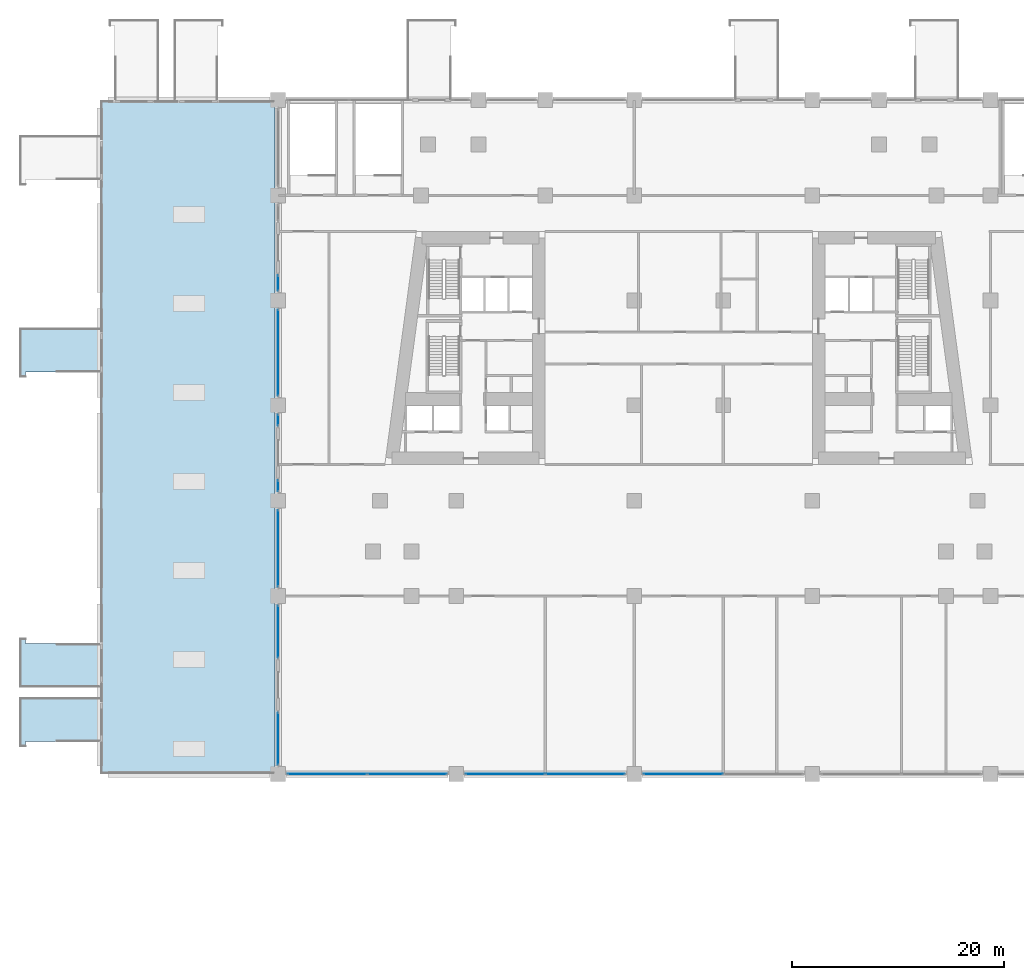
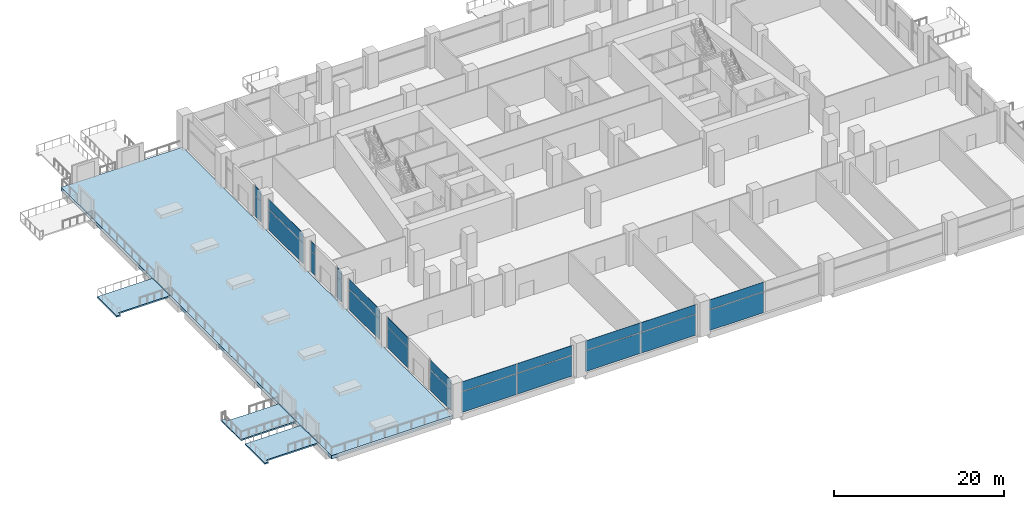
# One storey, part 11 of 33: 24 plates, 4 slabs, 10 elements without a shape of their own.
"""IFC4 building model written with IfcOpenShell, lengths in metres."""

import ifcopenshell
import ifcopenshell.guid

model = None  # the IFC model being written
_history = None  # IfcOwnerHistory: only IFC2X3 demands one
_inside = {}  # id of a spatial element -> (the spatial element, [elements in it])
_under = {}  # id of a project, library or spatial element -> (it, [spatial elements below it])
_declared = {}  # id of a project -> (the project, [libraries it declares])
_typed = {}  # id of a type object -> (the type object, [elements of that type])
_made_of = {}  # id of a material, layer set ... -> (it, [elements and type objects made of it])


def new_model(schema):
    """Start an empty IFC model of exactly this schema.

    Asked for "IFC4X3", IfcOpenShell would pick the latest addendum, in which some entities
    have other attributes; the version numbers below select the first issue.
    IFC2X3 requires an IfcOwnerHistory on every rooted entity: one is made here for all.
    """
    global model, _history
    if schema == "IFC4X3":
        model = ifcopenshell.file(schema_version=(4, 3, 0, 0))
    else:
        model = ifcopenshell.file(schema=schema)
    _inside.clear()
    _under.clear()
    _declared.clear()
    _typed.clear()
    _made_of.clear()
    _history = None
    if model.schema == "IFC2X3":
        org = make("IfcOrganization", Name="unknown")
        user = make(
            "IfcPersonAndOrganization",
            ThePerson=make("IfcPerson", FamilyName="unknown"),
            TheOrganization=org,
        )
        app = make(
            "IfcApplication",
            ApplicationDeveloper=org,
            Version="unknown",
            ApplicationFullName="unknown",
            ApplicationIdentifier="unknown",
        )
        _history = make(
            "IfcOwnerHistory",
            OwningUser=user,
            OwningApplication=app,
            ChangeAction="ADDED",
            CreationDate=0,
        )
    return model


def make(cls, **values):
    """One entity of the class cls with the attributes given. An attribute that is None is left unset."""
    return model.create_entity(
        cls, **{name: value for name, value in values.items() if value is not None}
    )


def rooted(cls, **values):
    """An entity with a GlobalId (a new one), such as an element, a storey or a relation."""
    return make(cls, GlobalId=ifcopenshell.guid.new(), OwnerHistory=_history, **values)


def si_unit(unit_type, name, prefix=None):
    """IfcSIUnit, for example si_unit("LENGTHUNIT", "METRE", prefix="MILLI")."""
    return make("IfcSIUnit", UnitType=unit_type, Prefix=prefix, Name=name)


def assignment(units):
    """IfcUnitAssignment: the units of a project."""
    return None if units is None else make("IfcUnitAssignment", Units=units)


def point(xyz):
    """IfcCartesianPoint."""
    return None if xyz is None else make("IfcCartesianPoint", Coordinates=xyz)


def direction(xyz):
    """IfcDirection."""
    return None if xyz is None else make("IfcDirection", DirectionRatios=xyz)


def frame(location, z_axis=None, x_axis=None):
    """IfcAxis2Placement3D, a coordinate frame: its origin and axes. An axis left out is left unset."""
    return make(
        "IfcAxis2Placement3D",
        Location=point(location),
        Axis=direction(z_axis),
        RefDirection=direction(x_axis),
    )


def frame_2d(location, x_axis=None):
    """IfcAxis2Placement2D, a coordinate frame in the plane: its origin and x axis."""
    return make(
        "IfcAxis2Placement2D", Location=point(location), RefDirection=direction(x_axis)
    )


def origin():
    """The frame at (0, 0, 0) with its axes left unset."""
    return frame((0.0, 0.0, 0.0))


def origin_2d():
    """The frame at (0, 0) in the plane with its x axis left unset."""
    return frame_2d((0.0, 0.0))


def place(relative_to, where):
    """IfcLocalPlacement: puts the frame where relative to a parent placement (None: the world)."""
    return make(
        "IfcLocalPlacement", PlacementRelTo=relative_to, RelativePlacement=where
    )


def context(
    kind, dimensions, precision=None, world=None, true_north=None, identifier=None
):
    """IfcGeometricRepresentationContext, for example the 3D "Model" context."""
    return make(
        "IfcGeometricRepresentationContext",
        ContextIdentifier=identifier,
        ContextType=kind,
        CoordinateSpaceDimension=dimensions,
        Precision=precision,
        WorldCoordinateSystem=world,
        TrueNorth=true_north,
    )


def subcontext(parent, identifier, kind, view, scale=None):
    """IfcGeometricRepresentationSubContext, for example "Body" below "Model"."""
    return make(
        "IfcGeometricRepresentationSubContext",
        ContextIdentifier=identifier,
        ContextType=kind,
        ParentContext=parent,
        TargetScale=scale,
        TargetView=view,
    )


def project(units=None, contexts=None):
    """IfcProject with its units and contexts."""
    return rooted(
        "IfcProject",
        Name="project",
        RepresentationContexts=contexts,
        UnitsInContext=assignment(units),
    )


def spatial(cls, under=None, at=None, **own):
    """A site, building, storey or space (cls), placed at a placement, below another one or the project."""
    s = rooted(cls, ObjectPlacement=at, **own)
    if under is not None:
        _under.setdefault(under.id(), (under, []))[1].append(s)
    return s


def polyline(points):
    """IfcPolyline through the points."""
    return make("IfcPolyline", Points=[point(p) for p in points])


def profile(cls, at=None, kind="AREA", **sizes):
    """A parametric profile (cls). Its sizes go by their IFC names, for example OverallWidth=200.0."""
    return make(cls, ProfileType=kind, Position=at, **sizes)


def rectangle(**sizes):
    """IfcRectangleProfileDef."""
    return profile("IfcRectangleProfileDef", **sizes)


def outline(outer, holes=None, kind="AREA"):
    """IfcArbitraryClosedProfileDef: a profile drawn as a closed curve; with holes, ...WithVoids."""
    if holes is None:
        return make("IfcArbitraryClosedProfileDef", ProfileType=kind, OuterCurve=outer)
    return make(
        "IfcArbitraryProfileDefWithVoids",
        ProfileType=kind,
        OuterCurve=outer,
        InnerCurves=holes,
    )


def extrude(swept, where, along, depth):
    """IfcExtrudedAreaSolid: the profile swept, set in the frame where, extruded along a direction by depth."""
    return make(
        "IfcExtrudedAreaSolid",
        SweptArea=swept,
        Position=where,
        ExtrudedDirection=direction(along),
        Depth=depth,
    )


def shape(context_of_items, identifier, shape_type, items):
    """IfcShapeRepresentation: the items that make up one representation, for example the "Body"."""
    return make(
        "IfcShapeRepresentation",
        ContextOfItems=context_of_items,
        RepresentationIdentifier=identifier,
        RepresentationType=shape_type,
        Items=items,
    )


def material(Name=None, Category=None):
    """IfcMaterial."""
    return make("IfcMaterial", Name=Name, Category=Category)


def layer(
    of_material, thickness, ventilated=None, Name=None, Category=None, Priority=None
):
    """IfcMaterialLayer: one layer of a wall or slab, of a material (None: an air gap)."""
    return make(
        "IfcMaterialLayer",
        Material=of_material,
        LayerThickness=thickness,
        IsVentilated=ventilated,
        Name=Name,
        Category=Category,
        Priority=Priority,
    )


def layer_set(layers, Name=None):
    """IfcMaterialLayerSet."""
    return make("IfcMaterialLayerSet", MaterialLayers=layers, LayerSetName=Name)


def made_of(thing, what):
    """Note that an element or type object is made of a material, layer set ...; save() writes the relation."""
    if what is not None:
        _made_of.setdefault(what.id(), (what, []))[1].append(thing)
    return thing


def type_object(cls, material=None, **own):
    """A type object (cls), such as IfcWallType, which elements share."""
    return made_of(rooted(cls, **own), material)


def element(
    cls,
    number,
    at=None,
    inside=None,
    cuts=None,
    type_object=None,
    material=None,
    context=None,
    identifier="Body",
    shape_type=None,
    held_by="IfcProductDefinitionShape",
    body=None,
    shapes=None,
    **own,
):
    """One element of the class cls, such as IfcWall. Its Tag is "e" and its number.

    at: its placement. inside: the storey or other place that contains it. cuts: it is an
    opening in that element (IfcRelVoidsElement). A single representation is given by context,
    identifier, shape_type and body (its items); several are given by shapes. held_by: the class
    of the entity that holds the representations. save() writes the other relations.
    """
    e = rooted(cls, Tag="e%d" % number, ObjectPlacement=at, **own)
    if body is not None:
        shapes = [shape(context, identifier, shape_type, body)]
    if shapes is not None:
        e.Representation = make(held_by, Representations=shapes)
    if inside is not None:
        _inside.setdefault(inside.id(), (inside, []))[1].append(e)
    if cuts is not None:
        rooted(
            "IfcRelVoidsElement", RelatingBuildingElement=cuts, RelatedOpeningElement=e
        )
    if type_object is not None:
        _typed.setdefault(type_object.id(), (type_object, []))[1].append(e)
    return made_of(e, material)


def aggregate(whole, parts):
    """IfcRelAggregates: a whole, such as a stair, and the parts it consists of."""
    return rooted("IfcRelAggregates", RelatingObject=whole, RelatedObjects=parts)


def save(model, path):
    """Write the relations noted so far, then the file.

    IfcRelAggregates (storeys below a building ...), IfcRelContainedInSpatialStructure (elements
    in a storey), IfcRelDefinesByType, IfcRelAssociatesMaterial and IfcRelDeclares: one each for
    every whole, place, type object, material and project.
    """
    for whole, parts in _under.values():
        aggregate(whole, parts)
    for where, things in _inside.values():
        rooted(
            "IfcRelContainedInSpatialStructure",
            RelatedElements=things,
            RelatingStructure=where,
        )
    for kind, things in _typed.values():
        rooted("IfcRelDefinesByType", RelatedObjects=things, RelatingType=kind)
    for what, things in _made_of.values():
        rooted("IfcRelAssociatesMaterial", RelatedObjects=things, RelatingMaterial=what)
    for by, libraries in _declared.values():
        rooted("IfcRelDeclares", RelatingContext=by, RelatedDefinitions=libraries)
    model.write(path)


model = new_model("IFC4")

# Units and contexts
model_context = context("Model", 3, precision=1e-05, world=origin(), true_north=direction((0.0, 1.0)))
body_context = subcontext(model_context, "Body", "Model", "MODEL_VIEW")
ifc_project = project(units=[si_unit("LENGTHUNIT", "METRE"), si_unit("AREAUNIT", "SQUARE_METRE"), si_unit("VOLUMEUNIT", "CUBIC_METRE"), si_unit("PLANEANGLEUNIT", "RADIAN"), si_unit("MASSUNIT", "GRAM", prefix="KILO")], contexts=[model_context])

# Site, building, storey
site_placement = place(None, origin())
site = spatial("IfcSite", under=ifc_project, at=site_placement, CompositionType="ELEMENT")
building_placement = place(site_placement, origin())
building = spatial("IfcBuilding", under=site, at=building_placement, Name="Candeia Pilgrim Tower and Theatre", CompositionType="ELEMENT")
storey_placement = place(building_placement, frame((0.0, 0.0, 29.0)))
storey = spatial("IfcBuildingStorey", under=building, at=storey_placement, Name="L04", CompositionType="ELEMENT", Elevation=29.0)

# Curtain wall, plates
ifc_material_1 = material(Name="Aluminium framed podium glazing", Category="aluminium")
curtain_wall_type = type_object("IfcCurtainWallType", Name="CW-P curtain wall", PredefinedType="NOTDEFINED", material=ifc_material_1)
curtain_wall_1_placement = place(storey_placement, origin())
curtain_wall_1 = element("IfcCurtainWall", 1, at=curtain_wall_1_placement, inside=storey, type_object=curtain_wall_type, Name="Curtain wall CW-P L04.000", PredefinedType="NOTDEFINED")
ifc_material_2 = material(Name="Laminated low-iron glass 2 x 8 mm", Category="glass")
ifc_layer_1 = layer(ifc_material_2, 0.035888671875)
ifc_layer_set_1 = layer_set([ifc_layer_1], Name="CW-P glass panel 36")
plate_type = type_object("IfcPlateType", Name="CW-P glass panel 36", PredefinedType="CURTAIN_PANEL", material=ifc_layer_set_1)
plate_1_placement = place(storey_placement, frame((75.60009765625, 84.550048828125, 0.0), z_axis=(0.0, 0.0, 1.0), x_axis=(0.0, 1.0, 0.0)))
plate_1 = element("IfcPlate", 2, at=plate_1_placement, type_object=plate_type, Name="CW-P panel 1.1", PredefinedType="CURTAIN_PANEL", context=body_context, shape_type="SweptSolid", body=[
    extrude(rectangle(XDim=4.919921875, YDim=0.035888671875, at=origin_2d()), origin(), (0.0, 0.0, 1.0), 2.9599609375),
])
plate_2_placement = place(storey_placement, frame((75.60009765625, 84.550048828125, 3.0400390625), z_axis=(0.0, 0.0, 1.0), x_axis=(0.0, 1.0, 0.0)))
plate_2 = element("IfcPlate", 3, at=plate_2_placement, type_object=plate_type, Name="CW-P panel 1.2", PredefinedType="CURTAIN_PANEL", context=body_context, shape_type="SweptSolid", body=[
    extrude(rectangle(XDim=4.919921875, YDim=0.035888671875, at=origin_2d()), origin(), (0.0, 0.0, 1.0), 1.360107421875),
])
aggregate(curtain_wall_1, [plate_1, plate_2])

curtain_wall_2_placement = place(storey_placement, origin())
curtain_wall_2 = element("IfcCurtainWall", 4, at=curtain_wall_2_placement, inside=storey, type_object=curtain_wall_type, Name="Curtain wall CW-P L04.001", PredefinedType="NOTDEFINED")
plate_3_placement = place(storey_placement, frame((75.60009765625, 94.64990234375, 0.0), z_axis=(0.0, 0.0, 1.0), x_axis=(0.0, 1.0, 0.0)))
plate_3 = element("IfcPlate", 5, at=plate_3_placement, type_object=plate_type, Name="CW-P panel 1.1", PredefinedType="CURTAIN_PANEL", context=body_context, shape_type="SweptSolid", body=[
    extrude(rectangle(XDim=4.919921875, YDim=0.035888671875, at=origin_2d()), origin(), (0.0, 0.0, 1.0), 2.9599609375),
])
plate_4_placement = place(storey_placement, frame((75.60009765625, 94.64990234375, 3.0400390625), z_axis=(0.0, 0.0, 1.0), x_axis=(0.0, 1.0, 0.0)))
plate_4 = element("IfcPlate", 6, at=plate_4_placement, type_object=plate_type, Name="CW-P panel 1.2", PredefinedType="CURTAIN_PANEL", context=body_context, shape_type="SweptSolid", body=[
    extrude(rectangle(XDim=4.919921875, YDim=0.035888671875, at=origin_2d()), origin(), (0.0, 0.0, 1.0), 1.360107421875),
])
aggregate(curtain_wall_2, [plate_3, plate_4])

curtain_wall_3_placement = place(storey_placement, origin())
curtain_wall_3 = element("IfcCurtainWall", 7, at=curtain_wall_3_placement, inside=storey, type_object=curtain_wall_type, Name="Curtain wall CW-P L04.010", PredefinedType="NOTDEFINED")
plate_5_placement = place(storey_placement, frame((75.60009765625, 102.5, 0.0), z_axis=(0.0, 0.0, 1.0), x_axis=(0.0, 1.0, 0.0)))
plate_5 = element("IfcPlate", 8, at=plate_5_placement, type_object=plate_type, Name="CW-P panel 1.1", PredefinedType="CURTAIN_PANEL", context=body_context, shape_type="SweptSolid", body=[
    extrude(rectangle(XDim=7.219970703125, YDim=0.035888671875, at=origin_2d()), origin(), (0.0, 0.0, 1.0), 2.9599609375),
])
plate_6_placement = place(storey_placement, frame((75.60009765625, 102.5, 3.0400390625), z_axis=(0.0, 0.0, 1.0), x_axis=(0.0, 1.0, 0.0)))
plate_6 = element("IfcPlate", 9, at=plate_6_placement, type_object=plate_type, Name="CW-P panel 1.2", PredefinedType="CURTAIN_PANEL", context=body_context, shape_type="SweptSolid", body=[
    extrude(rectangle(XDim=7.219970703125, YDim=0.035888671875, at=origin_2d()), origin(), (0.0, 0.0, 1.0), 1.360107421875),
])
aggregate(curtain_wall_3, [plate_5, plate_6])

curtain_wall_4_placement = place(storey_placement, origin())
curtain_wall_4 = element("IfcCurtainWall", 10, at=curtain_wall_4_placement, inside=storey, type_object=curtain_wall_type, Name="Curtain wall CW-P L04.020", PredefinedType="NOTDEFINED")
plate_7_placement = place(storey_placement, frame((75.60009765625, 108.39990234375, 0.0), z_axis=(0.0, 0.0, 1.0), x_axis=(0.0, 1.0, 0.0)))
plate_7 = element("IfcPlate", 11, at=plate_7_placement, type_object=plate_type, Name="CW-P panel 1.1", PredefinedType="CURTAIN_PANEL", context=body_context, shape_type="SweptSolid", body=[
    extrude(rectangle(XDim=1.02001953125, YDim=0.035888671875, at=origin_2d()), origin(), (0.0, 0.0, 1.0), 2.9599609375),
])
plate_8_placement = place(storey_placement, frame((75.60009765625, 108.39990234375, 3.0400390625), z_axis=(0.0, 0.0, 1.0), x_axis=(0.0, 1.0, 0.0)))
plate_8 = element("IfcPlate", 12, at=plate_8_placement, type_object=plate_type, Name="CW-P panel 1.2", PredefinedType="CURTAIN_PANEL", context=body_context, shape_type="SweptSolid", body=[
    extrude(rectangle(XDim=1.02001953125, YDim=0.035888671875, at=origin_2d()), origin(), (0.0, 0.0, 1.0), 1.360107421875),
])
aggregate(curtain_wall_4, [plate_7, plate_8])

curtain_wall_5_placement = place(storey_placement, origin())
curtain_wall_5 = element("IfcCurtainWall", 13, at=curtain_wall_5_placement, inside=storey, type_object=curtain_wall_type, Name="Curtain wall CW-P L04.021", PredefinedType="NOTDEFINED")
plate_9_placement = place(storey_placement, frame((75.60009765625, 114.60009765625, 0.0), z_axis=(0.0, 0.0, 1.0), x_axis=(0.0, 1.0, 0.0)))
plate_9 = element("IfcPlate", 14, at=plate_9_placement, type_object=plate_type, Name="CW-P panel 1.1", PredefinedType="CURTAIN_PANEL", context=body_context, shape_type="SweptSolid", body=[
    extrude(rectangle(XDim=1.02001953125, YDim=0.035888671875, at=origin_2d()), origin(), (0.0, 0.0, 1.0), 2.9599609375),
])
plate_10_placement = place(storey_placement, frame((75.60009765625, 114.60009765625, 3.0400390625), z_axis=(0.0, 0.0, 1.0), x_axis=(0.0, 1.0, 0.0)))
plate_10 = element("IfcPlate", 15, at=plate_10_placement, type_object=plate_type, Name="CW-P panel 1.2", PredefinedType="CURTAIN_PANEL", context=body_context, shape_type="SweptSolid", body=[
    extrude(rectangle(XDim=1.02001953125, YDim=0.035888671875, at=origin_2d()), origin(), (0.0, 0.0, 1.0), 1.360107421875),
])
aggregate(curtain_wall_5, [plate_9, plate_10])

curtain_wall_6_placement = place(storey_placement, origin())
curtain_wall_6 = element("IfcCurtainWall", 16, at=curtain_wall_6_placement, inside=storey, type_object=curtain_wall_type, Name="Curtain wall CW-P L04.030", PredefinedType="NOTDEFINED")
plate_11_placement = place(storey_placement, frame((75.60009765625, 120.949951171875, 0.0), z_axis=(0.0, 0.0, 1.0), x_axis=(0.0, 1.0, 0.0)))
plate_11 = element("IfcPlate", 17, at=plate_11_placement, type_object=plate_type, Name="CW-P panel 1.1", PredefinedType="CURTAIN_PANEL", context=body_context, shape_type="SweptSolid", body=[
    extrude(rectangle(XDim=8.1201171875, YDim=0.035888671875, at=origin_2d()), origin(), (0.0, 0.0, 1.0), 2.9599609375),
])
plate_12_placement = place(storey_placement, frame((75.60009765625, 120.949951171875, 3.0400390625), z_axis=(0.0, 0.0, 1.0), x_axis=(0.0, 1.0, 0.0)))
plate_12 = element("IfcPlate", 18, at=plate_12_placement, type_object=plate_type, Name="CW-P panel 1.2", PredefinedType="CURTAIN_PANEL", context=body_context, shape_type="SweptSolid", body=[
    extrude(rectangle(XDim=8.1201171875, YDim=0.035888671875, at=origin_2d()), origin(), (0.0, 0.0, 1.0), 1.360107421875),
])
aggregate(curtain_wall_6, [plate_11, plate_12])

curtain_wall_7_placement = place(storey_placement, origin())
curtain_wall_7 = element("IfcCurtainWall", 19, at=curtain_wall_7_placement, inside=storey, type_object=curtain_wall_type, Name="Curtain wall CW-P L04.040", PredefinedType="NOTDEFINED")
plate_13_placement = place(storey_placement, frame((75.60009765625, 127.52490234375, 0.0), z_axis=(0.0, 0.0, 1.0), x_axis=(0.0, 1.0, 0.0)))
plate_13 = element("IfcPlate", 20, at=plate_13_placement, type_object=plate_type, Name="CW-P panel 1.1", PredefinedType="CURTAIN_PANEL", context=body_context, shape_type="SweptSolid", body=[
    extrude(rectangle(XDim=1.469970703125, YDim=0.035888671875, at=origin_2d()), origin(), (0.0, 0.0, 1.0), 2.9599609375),
])
plate_14_placement = place(storey_placement, frame((75.60009765625, 127.52490234375, 3.0400390625), z_axis=(0.0, 0.0, 1.0), x_axis=(0.0, 1.0, 0.0)))
plate_14 = element("IfcPlate", 21, at=plate_14_placement, type_object=plate_type, Name="CW-P panel 1.2", PredefinedType="CURTAIN_PANEL", context=body_context, shape_type="SweptSolid", body=[
    extrude(rectangle(XDim=1.469970703125, YDim=0.035888671875, at=origin_2d()), origin(), (0.0, 0.0, 1.0), 1.360107421875),
])
aggregate(curtain_wall_7, [plate_13, plate_14])

curtain_wall_8_placement = place(storey_placement, origin())
curtain_wall_8 = element("IfcCurtainWall", 22, at=curtain_wall_8_placement, inside=storey, type_object=curtain_wall_type, Name="Curtain wall CW-P L04.320", PredefinedType="NOTDEFINED")
plate_15_placement = place(storey_placement, frame((113.824951171875, 81.199951171875, 0.0), z_axis=(0.0, 0.0, 1.0), x_axis=(-1.0, 0.0, 0.0)))
plate_15 = element("IfcPlate", 23, at=plate_15_placement, type_object=plate_type, Name="CW-P panel 2.1", PredefinedType="CURTAIN_PANEL", context=body_context, shape_type="SweptSolid", body=[
    extrude(rectangle(XDim=7.469970703125, YDim=0.035888671875, at=origin_2d()), origin(), (0.0, 0.0, 1.0), 2.9599609375),
])
plate_16_placement = place(storey_placement, frame((113.824951171875, 81.199951171875, 3.0400390625), z_axis=(0.0, 0.0, 1.0), x_axis=(-1.0, 0.0, 0.0)))
plate_16 = element("IfcPlate", 24, at=plate_16_placement, type_object=plate_type, Name="CW-P panel 2.2", PredefinedType="CURTAIN_PANEL", context=body_context, shape_type="SweptSolid", body=[
    extrude(rectangle(XDim=7.469970703125, YDim=0.035888671875, at=origin_2d()), origin(), (0.0, 0.0, 1.0), 1.360107421875),
])
aggregate(curtain_wall_8, [plate_15, plate_16])

curtain_wall_9_placement = place(storey_placement, origin())
curtain_wall_9 = element("IfcCurtainWall", 25, at=curtain_wall_9_placement, inside=storey, type_object=curtain_wall_type, Name="Curtain wall CW-P L04.330", PredefinedType="NOTDEFINED")
plate_17_placement = place(storey_placement, frame((104.574951171875, 81.199951171875, 0.0), z_axis=(0.0, 0.0, 1.0), x_axis=(-1.0, 0.0, 0.0)))
plate_17 = element("IfcPlate", 26, at=plate_17_placement, type_object=plate_type, Name="CW-P panel 1.1", PredefinedType="CURTAIN_PANEL", context=body_context, shape_type="SweptSolid", body=[
    extrude(rectangle(XDim=7.469970703125, YDim=0.035888671875, at=origin_2d()), origin(), (0.0, 0.0, 1.0), 2.9599609375),
])
plate_18_placement = place(storey_placement, frame((104.574951171875, 81.199951171875, 3.0400390625), z_axis=(0.0, 0.0, 1.0), x_axis=(-1.0, 0.0, 0.0)))
plate_18 = element("IfcPlate", 27, at=plate_18_placement, type_object=plate_type, Name="CW-P panel 1.2", PredefinedType="CURTAIN_PANEL", context=body_context, shape_type="SweptSolid", body=[
    extrude(rectangle(XDim=7.469970703125, YDim=0.035888671875, at=origin_2d()), origin(), (0.0, 0.0, 1.0), 1.360107421875),
])
plate_19_placement = place(storey_placement, frame((97.02490234375, 81.199951171875, 0.0), z_axis=(0.0, 0.0, 1.0), x_axis=(-1.0, 0.0, 0.0)))
plate_19 = element("IfcPlate", 28, at=plate_19_placement, type_object=plate_type, Name="CW-P panel 2.1", PredefinedType="CURTAIN_PANEL", context=body_context, shape_type="SweptSolid", body=[
    extrude(rectangle(XDim=7.469970703125, YDim=0.035888671875, at=origin_2d()), origin(), (0.0, 0.0, 1.0), 2.9599609375),
])
plate_20_placement = place(storey_placement, frame((97.02490234375, 81.199951171875, 3.0400390625), z_axis=(0.0, 0.0, 1.0), x_axis=(-1.0, 0.0, 0.0)))
plate_20 = element("IfcPlate", 29, at=plate_20_placement, type_object=plate_type, Name="CW-P panel 2.2", PredefinedType="CURTAIN_PANEL", context=body_context, shape_type="SweptSolid", body=[
    extrude(rectangle(XDim=7.469970703125, YDim=0.035888671875, at=origin_2d()), origin(), (0.0, 0.0, 1.0), 1.360107421875),
])
aggregate(curtain_wall_9, [plate_17, plate_18, plate_19, plate_20])

curtain_wall_10_placement = place(storey_placement, origin())
curtain_wall_10 = element("IfcCurtainWall", 30, at=curtain_wall_10_placement, inside=storey, type_object=curtain_wall_type, Name="Curtain wall CW-P L04.340", PredefinedType="NOTDEFINED")
plate_21_placement = place(storey_placement, frame((87.77490234375, 81.199951171875, 0.0), z_axis=(0.0, 0.0, 1.0), x_axis=(-1.0, 0.0, 0.0)))
plate_21 = element("IfcPlate", 31, at=plate_21_placement, type_object=plate_type, Name="CW-P panel 1.1", PredefinedType="CURTAIN_PANEL", context=body_context, shape_type="SweptSolid", body=[
    extrude(rectangle(XDim=7.469970703125, YDim=0.035888671875, at=origin_2d()), origin(), (0.0, 0.0, 1.0), 2.9599609375),
])
plate_22_placement = place(storey_placement, frame((87.77490234375, 81.199951171875, 3.0400390625), z_axis=(0.0, 0.0, 1.0), x_axis=(-1.0, 0.0, 0.0)))
plate_22 = element("IfcPlate", 32, at=plate_22_placement, type_object=plate_type, Name="CW-P panel 1.2", PredefinedType="CURTAIN_PANEL", context=body_context, shape_type="SweptSolid", body=[
    extrude(rectangle(XDim=7.469970703125, YDim=0.035888671875, at=origin_2d()), origin(), (0.0, 0.0, 1.0), 1.360107421875),
])
plate_23_placement = place(storey_placement, frame((80.22509765625, 81.199951171875, 0.0), z_axis=(0.0, 0.0, 1.0), x_axis=(-1.0, 0.0, 0.0)))
plate_23 = element("IfcPlate", 33, at=plate_23_placement, type_object=plate_type, Name="CW-P panel 2.1", PredefinedType="CURTAIN_PANEL", context=body_context, shape_type="SweptSolid", body=[
    extrude(rectangle(XDim=7.469970703125, YDim=0.035888671875, at=origin_2d()), origin(), (0.0, 0.0, 1.0), 2.9599609375),
])
plate_24_placement = place(storey_placement, frame((80.22509765625, 81.199951171875, 3.0400390625), z_axis=(0.0, 0.0, 1.0), x_axis=(-1.0, 0.0, 0.0)))
plate_24 = element("IfcPlate", 34, at=plate_24_placement, type_object=plate_type, Name="CW-P panel 2.2", PredefinedType="CURTAIN_PANEL", context=body_context, shape_type="SweptSolid", body=[
    extrude(rectangle(XDim=7.469970703125, YDim=0.035888671875, at=origin_2d()), origin(), (0.0, 0.0, 1.0), 1.360107421875),
])
aggregate(curtain_wall_10, [plate_21, plate_22, plate_23, plate_24])

# Slabs
ifc_material_3 = material(Name="Concrete C40/50", Category="concrete")
ifc_layer_2 = layer(ifc_material_3, 0.199951171875)
ifc_layer_set_2 = layer_set([ifc_layer_2], Name="SL-EXT stair landing")
slab_type_1 = type_object("IfcSlabType", Name="SL-EXT stair landing", PredefinedType="LANDING", material=ifc_layer_set_2)
slab_1_placement = place(storey_placement, frame((0.0, 0.0, -0.199951171875)))
element("IfcSlab", 35, at=slab_1_placement, inside=storey, type_object=slab_type_1, Name="L04 External escape stair ES11 floor landing", PredefinedType="LANDING", context=body_context, shape_type="SweptSolid", body=[
    extrude(outline(polyline([(58.75, 88.39990234375), (58.75, 84.280029296875), (51.75, 84.280029296875), (51.75, 83.800048828125), (51.25, 83.800048828125), (51.25, 88.39990234375), (58.75, 88.39990234375)])), origin(), (0.0, 0.0, 1.0), 0.199951171875),
])
slab_2_placement = place(storey_placement, frame((0.0, 0.0, -0.199951171875)))
element("IfcSlab", 36, at=slab_2_placement, inside=storey, type_object=slab_type_1, Name="L04 External escape stair ES12 floor landing", PredefinedType="LANDING", context=body_context, shape_type="SweptSolid", body=[
    extrude(outline(polyline([(58.75, 89.39990234375), (58.75, 93.52001953125), (51.75, 93.52001953125), (51.75, 94.0), (51.25, 94.0), (51.25, 89.39990234375), (58.75, 89.39990234375)])), origin(), (0.0, 0.0, 1.0), 0.199951171875),
])
slab_3_placement = place(storey_placement, frame((0.0, 0.0, -0.199951171875)))
element("IfcSlab", 37, at=slab_3_placement, inside=storey, type_object=slab_type_1, Name="L04 External escape stair ES15 floor landing", PredefinedType="LANDING", context=body_context, shape_type="SweptSolid", body=[
    extrude(outline(polyline([(58.75, 123.25), (58.75, 119.1298828125), (51.75, 119.1298828125), (51.75, 118.64990234375), (51.25, 118.64990234375), (51.25, 123.25), (58.75, 123.25)])), origin(), (0.0, 0.0, 1.0), 0.199951171875),
])
ifc_layer_3 = layer(ifc_material_3, 0.5)
ifc_layer_set_3 = layer_set([ifc_layer_3], Name="Terrace slab 500 C40/50")
slab_type_2 = type_object("IfcSlabType", Name="Terrace slab 500 C40/50", PredefinedType="FLOOR", material=ifc_layer_set_3)
slab_4_placement = place(storey_placement, frame((0.0, 0.0, -0.5)))
element("IfcSlab", 38, at=slab_4_placement, inside=storey, type_object=slab_type_2, Name="Terrace slab T-L04-1", PredefinedType="FLOOR", context=body_context, shape_type="SweptSolid", body=[
    extrude(outline(polyline([(58.800048828125, 144.800048828125), (75.300048828125, 144.800048828125), (75.300048828125, 81.199951171875), (58.800048828125, 81.199951171875), (58.800048828125, 144.800048828125)])), origin(), (0.0, 0.0, 1.0), 0.5),
])

save(model, "model.ifc")
